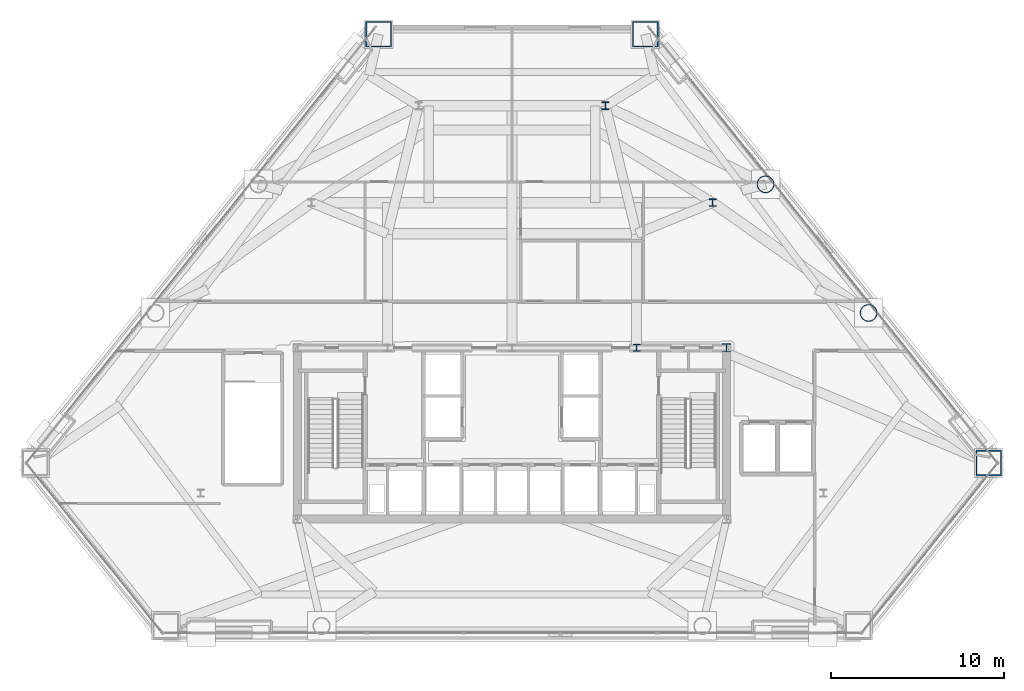
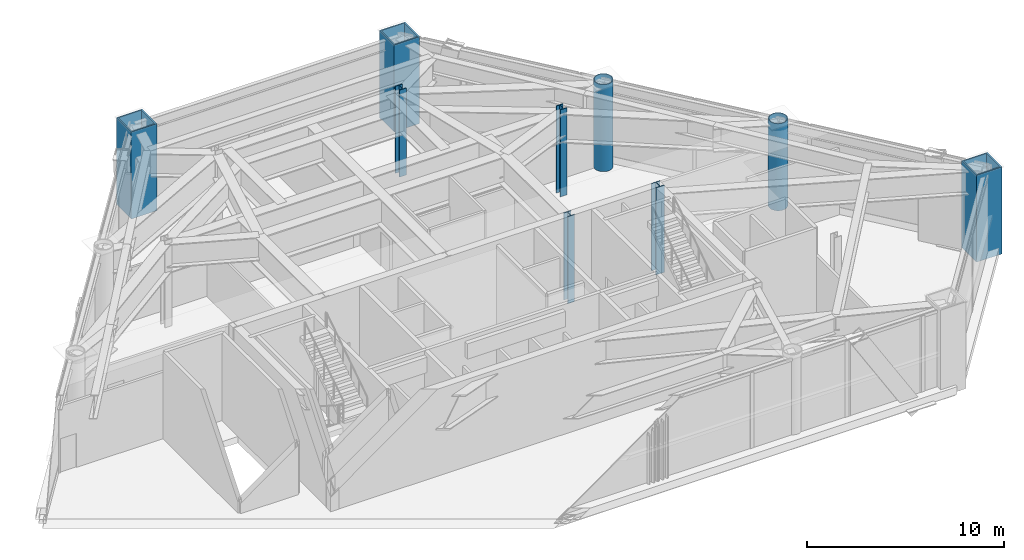
# One storey, part 2 of 13: 9 columns.
"""IFC4 building model written with IfcOpenShell, lengths in metres."""

from ifc_helpers import new_model, si_unit, direction, frame, origin, origin_2d, place, context, subcontext, project, spatial, hollow_rectangle, hollow_circle, i_section, extrude, material, material_profile, profile_set, type_object, element, save


model = new_model("IFC4")

# Units and contexts
model_context = context("Model", 3, precision=1e-05, world=origin(), true_north=direction((0.0, 1.0)))
body_context = subcontext(model_context, "Body", "Model", "MODEL_VIEW")
ifc_project = project(units=[si_unit("LENGTHUNIT", "METRE"), si_unit("AREAUNIT", "SQUARE_METRE"), si_unit("VOLUMEUNIT", "CUBIC_METRE"), si_unit("PLANEANGLEUNIT", "RADIAN"), si_unit("MASSUNIT", "GRAM", prefix="KILO")], contexts=[model_context])

# Site, building, storey
site_placement = place(None, origin())
site = spatial("IfcSite", under=ifc_project, at=site_placement, CompositionType="ELEMENT")
building_placement = place(site_placement, origin())
building = spatial("IfcBuilding", under=site, at=building_placement, Name="Talgorran Terracotta Tower", CompositionType="ELEMENT")
storey_placement = place(building_placement, frame((0.0, 0.0, 18.89990234375)))
storey = spatial("IfcBuildingStorey", under=building, at=storey_placement, Name="L04", CompositionType="ELEMENT", Elevation=18.89990234375)

# Columns
ifc_material_1 = material(Name="Steel S355 (300PLUS)", Category="steel")
ifc_material_profile_1 = material_profile(ifc_material_1, i_section(OverallWidth=0.39990234375, OverallDepth=0.43994140625, WebThickness=0.028076171875, FlangeThickness=0.0400390625, at=origin_2d()), Name="400WC328")
ifc_profile_set_1 = profile_set([ifc_material_profile_1], Name="Steel S355 (300PLUS)")
column_type_1 = type_object("IfcColumnType", Name="COL_400WC328", PredefinedType="COLUMN", material=ifc_profile_set_1)
for number, where, z_axis, x_axis, name in (
    (1, (11.60009765625, 4.199951171875, 0.0), (0.0, 0.0, 1.0), (1.0, 0.0, 0.0), "L04 Podium Column PC4"),
    (2, (5.39990234375, 9.800048828125, 0.0), (0.0, 0.0, 1.0), (1.0, 0.0, 0.0), "L04 Podium Column PC6"),
):
    element("IfcColumn", number, at=place(storey_placement, frame(where, z_axis=z_axis, x_axis=x_axis)), inside=storey, type_object=column_type_1, Name=name, PredefinedType="COLUMN", context=body_context, shape_type="SweptSolid", body=[
        extrude(i_section(OverallWidth=0.39990234375, OverallDepth=0.43994140625, WebThickness=0.028076171875, FlangeThickness=0.0400390625, at=origin_2d()), origin(), (0.0, 0.0, 1.0), 5.400146484375),
    ])
ifc_material_profile_2 = material_profile(ifc_material_1, i_section(OverallWidth=0.5, OverallDepth=0.48193359375, WebThickness=0.0400390625, FlangeThickness=0.044921875, at=origin_2d()), Name="500WC440")
ifc_profile_set_2 = profile_set([ifc_material_profile_2], Name="Steel S355 (300PLUS)")
column_type_2 = type_object("IfcColumnType", Name="COL_500WC440", PredefinedType="COLUMN", material=ifc_profile_set_2)
column_1_placement = place(storey_placement, frame((12.39990234375, -4.199951171875, 0.0), z_axis=(0.0, 0.0, 1.0), x_axis=(1.0, 0.0, 0.0)))
element("IfcColumn", 3, at=column_1_placement, inside=storey, type_object=column_type_2, Name="L04 Core Boundary Column CC3", PredefinedType="COLUMN", context=body_context, shape_type="SweptSolid", body=[
    extrude(i_section(OverallWidth=0.5, OverallDepth=0.48193359375, WebThickness=0.0400390625, FlangeThickness=0.044921875, at=origin_2d()), origin(), (0.0, 0.0, 1.0), 5.400146484375),
])
ifc_material_2 = material(Name="Steel Grade 350 (350L0)", Category="steel")
ifc_material_profile_3 = material_profile(ifc_material_2, hollow_rectangle(XDim=1.5, YDim=1.5, WallThickness=0.074951171875, at=origin_2d()), Name="CFT1500X1500X75")
ifc_profile_set_3 = profile_set([ifc_material_profile_3], Name="Steel Grade 350 (350L0)")
column_type_3 = type_object("IfcColumnType", Name="COL_CFT_1500", PredefinedType="COLUMN", material=ifc_profile_set_3)
for number, where, z_axis, x_axis, name in (
    (4, (27.56982421875, -10.85595703125, 0.0), (0.0, 0.0, 1.0), (1.0, 0.0, 0.0), "L04 Corner CFT Mega-Column MC4"),
    (5, (7.714111328125, 13.93603515625, 0.0), (0.0, 0.0, 1.0), (1.0, 0.0, 0.0), "L04 Corner CFT Mega-Column MC5"),
    (6, (-7.714111328125, 13.93603515625, 0.0), (0.0, 0.0, 1.0), (1.0, 0.0, 0.0), "L04 Corner CFT Mega-Column MC6"),
):
    element("IfcColumn", number, at=place(storey_placement, frame(where, z_axis=z_axis, x_axis=x_axis)), inside=storey, type_object=column_type_3, Name=name, PredefinedType="COLUMN", context=body_context, shape_type="SweptSolid", body=[
        extrude(hollow_rectangle(XDim=1.5, YDim=1.5, WallThickness=0.074951171875, at=origin_2d()), origin(), (0.0, 0.0, 1.0), 5.400146484375),
    ])
ifc_material_profile_4 = material_profile(ifc_material_2, hollow_circle(Radius=0.5, WallThickness=0.044921875, at=origin_2d()), Name="CHS1000X45")
ifc_profile_set_4 = profile_set([ifc_material_profile_4], Name="Steel Grade 350 (350L0)")
column_type_4 = type_object("IfcColumnType", Name="COL_CHS_1000", PredefinedType="COLUMN", material=ifc_profile_set_4)
for number, where, z_axis, x_axis, name in (
    (7, (20.620361328125, -2.1787109375, 0.0), (0.0, 0.0, 1.0), (1.0, 0.0, 0.0), "L04 Facet Perimeter Column FC3"),
    (8, (14.663818359375, 5.2587890625, 0.0), (0.0, 0.0, 1.0), (1.0, 0.0, 0.0), "L04 Facet Perimeter Column FC4"),
):
    element("IfcColumn", number, at=place(storey_placement, frame(where, z_axis=z_axis, x_axis=x_axis)), inside=storey, type_object=column_type_4, Name=name, PredefinedType="COLUMN", context=body_context, shape_type="SweptSolid", body=[
        extrude(hollow_circle(Radius=0.5, WallThickness=0.044921875, at=origin_2d()), origin(), (0.0, 0.0, 1.0), 5.400146484375),
    ])
ifc_material_profile_5 = material_profile(ifc_material_1, i_section(OverallWidth=0.405029296875, OverallDepth=0.4140625, WebThickness=0.02197265625, FlangeThickness=0.031982421875, at=origin_2d()), Name="400WC270")
ifc_profile_set_5 = profile_set([ifc_material_profile_5], Name="Steel S355 (300PLUS)")
column_type_5 = type_object("IfcColumnType", Name="COL_PIL_400WC270", PredefinedType="PILASTER", material=ifc_profile_set_5)
column_2_placement = place(storey_placement, frame((7.199951171875, -4.199951171875, 0.0), z_axis=(0.0, 0.0, 1.0), x_axis=(1.0, 0.0, 0.0)))
element("IfcColumn", 9, at=column_2_placement, inside=storey, type_object=column_type_5, Name="L04 Core Shear Pilaster CP3", PredefinedType="PILASTER", context=body_context, shape_type="SweptSolid", body=[
    extrude(i_section(OverallWidth=0.405029296875, OverallDepth=0.4140625, WebThickness=0.02197265625, FlangeThickness=0.031982421875, at=origin_2d()), origin(), (0.0, 0.0, 1.0), 5.400146484375),
])

save(model, "model.ifc")
